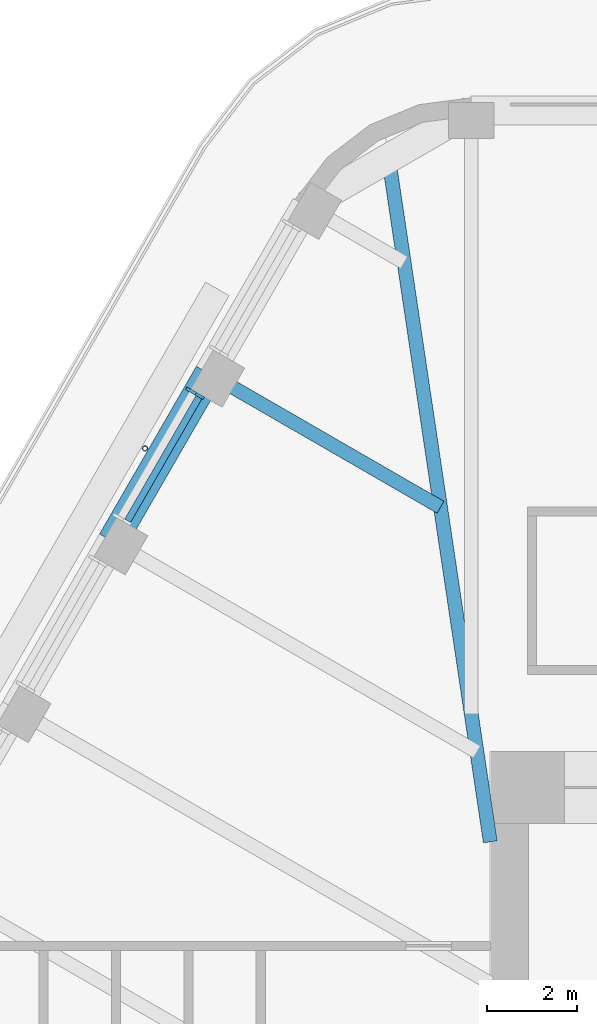
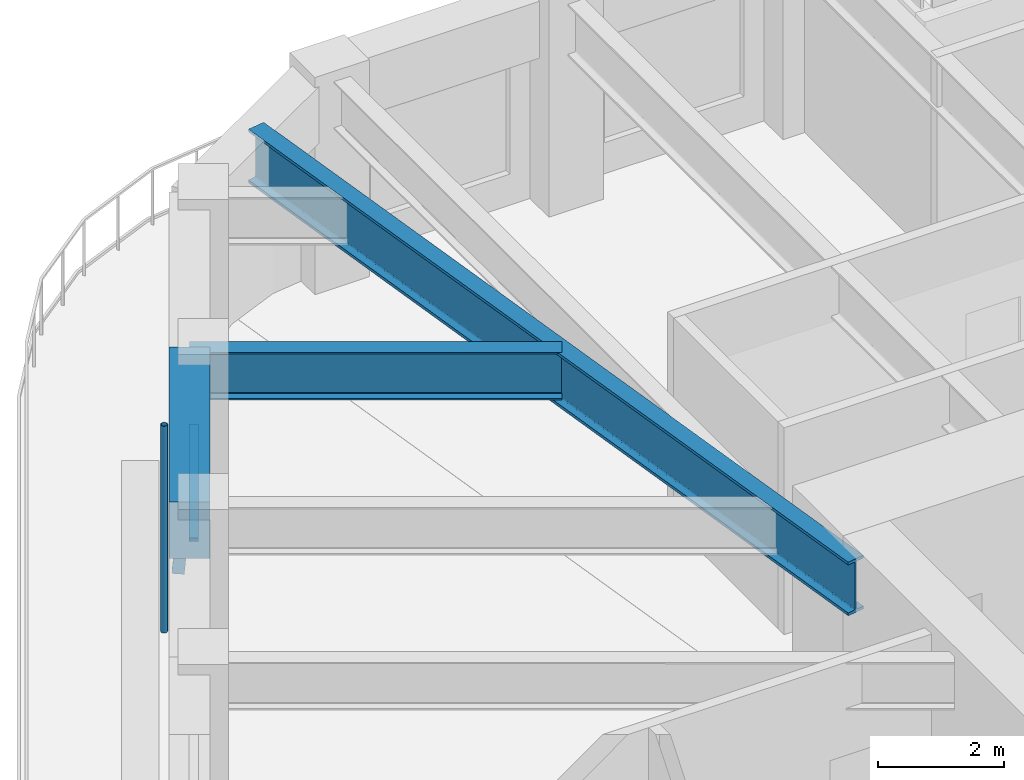
# One storey, part 8 of 19: 3 beams, 3 members, 1 element without a shape of its own.
"""IFC4 building model written with IfcOpenShell, lengths in metres."""

import ifcopenshell
import ifcopenshell.guid

model = None  # the IFC model being written
_history = None  # IfcOwnerHistory: only IFC2X3 demands one
_inside = {}  # id of a spatial element -> (the spatial element, [elements in it])
_under = {}  # id of a project, library or spatial element -> (it, [spatial elements below it])
_declared = {}  # id of a project -> (the project, [libraries it declares])
_typed = {}  # id of a type object -> (the type object, [elements of that type])
_made_of = {}  # id of a material, layer set ... -> (it, [elements and type objects made of it])


def new_model(schema):
    """Start an empty IFC model of exactly this schema.

    Asked for "IFC4X3", IfcOpenShell would pick the latest addendum, in which some entities
    have other attributes; the version numbers below select the first issue.
    IFC2X3 requires an IfcOwnerHistory on every rooted entity: one is made here for all.
    """
    global model, _history
    if schema == "IFC4X3":
        model = ifcopenshell.file(schema_version=(4, 3, 0, 0))
    else:
        model = ifcopenshell.file(schema=schema)
    _inside.clear()
    _under.clear()
    _declared.clear()
    _typed.clear()
    _made_of.clear()
    _history = None
    if model.schema == "IFC2X3":
        org = make("IfcOrganization", Name="unknown")
        user = make(
            "IfcPersonAndOrganization",
            ThePerson=make("IfcPerson", FamilyName="unknown"),
            TheOrganization=org,
        )
        app = make(
            "IfcApplication",
            ApplicationDeveloper=org,
            Version="unknown",
            ApplicationFullName="unknown",
            ApplicationIdentifier="unknown",
        )
        _history = make(
            "IfcOwnerHistory",
            OwningUser=user,
            OwningApplication=app,
            ChangeAction="ADDED",
            CreationDate=0,
        )
    return model


def make(cls, **values):
    """One entity of the class cls with the attributes given. An attribute that is None is left unset."""
    return model.create_entity(
        cls, **{name: value for name, value in values.items() if value is not None}
    )


def rooted(cls, **values):
    """An entity with a GlobalId (a new one), such as an element, a storey or a relation."""
    return make(cls, GlobalId=ifcopenshell.guid.new(), OwnerHistory=_history, **values)


def si_unit(unit_type, name, prefix=None):
    """IfcSIUnit, for example si_unit("LENGTHUNIT", "METRE", prefix="MILLI")."""
    return make("IfcSIUnit", UnitType=unit_type, Prefix=prefix, Name=name)


def assignment(units):
    """IfcUnitAssignment: the units of a project."""
    return None if units is None else make("IfcUnitAssignment", Units=units)


def point(xyz):
    """IfcCartesianPoint."""
    return None if xyz is None else make("IfcCartesianPoint", Coordinates=xyz)


def direction(xyz):
    """IfcDirection."""
    return None if xyz is None else make("IfcDirection", DirectionRatios=xyz)


def frame(location, z_axis=None, x_axis=None):
    """IfcAxis2Placement3D, a coordinate frame: its origin and axes. An axis left out is left unset."""
    return make(
        "IfcAxis2Placement3D",
        Location=point(location),
        Axis=direction(z_axis),
        RefDirection=direction(x_axis),
    )


def frame_2d(location, x_axis=None):
    """IfcAxis2Placement2D, a coordinate frame in the plane: its origin and x axis."""
    return make(
        "IfcAxis2Placement2D", Location=point(location), RefDirection=direction(x_axis)
    )


def origin():
    """The frame at (0, 0, 0) with its axes left unset."""
    return frame((0.0, 0.0, 0.0))


def origin_2d():
    """The frame at (0, 0) in the plane with its x axis left unset."""
    return frame_2d((0.0, 0.0))


def place(relative_to, where):
    """IfcLocalPlacement: puts the frame where relative to a parent placement (None: the world)."""
    return make(
        "IfcLocalPlacement", PlacementRelTo=relative_to, RelativePlacement=where
    )


def context(
    kind, dimensions, precision=None, world=None, true_north=None, identifier=None
):
    """IfcGeometricRepresentationContext, for example the 3D "Model" context."""
    return make(
        "IfcGeometricRepresentationContext",
        ContextIdentifier=identifier,
        ContextType=kind,
        CoordinateSpaceDimension=dimensions,
        Precision=precision,
        WorldCoordinateSystem=world,
        TrueNorth=true_north,
    )


def subcontext(parent, identifier, kind, view, scale=None):
    """IfcGeometricRepresentationSubContext, for example "Body" below "Model"."""
    return make(
        "IfcGeometricRepresentationSubContext",
        ContextIdentifier=identifier,
        ContextType=kind,
        ParentContext=parent,
        TargetScale=scale,
        TargetView=view,
    )


def project(units=None, contexts=None):
    """IfcProject with its units and contexts."""
    return rooted(
        "IfcProject",
        Name="project",
        RepresentationContexts=contexts,
        UnitsInContext=assignment(units),
    )


def spatial(cls, under=None, at=None, **own):
    """A site, building, storey or space (cls), placed at a placement, below another one or the project."""
    s = rooted(cls, ObjectPlacement=at, **own)
    if under is not None:
        _under.setdefault(under.id(), (under, []))[1].append(s)
    return s


def profile(cls, at=None, kind="AREA", **sizes):
    """A parametric profile (cls). Its sizes go by their IFC names, for example OverallWidth=200.0."""
    return make(cls, ProfileType=kind, Position=at, **sizes)


def rectangle(**sizes):
    """IfcRectangleProfileDef."""
    return profile("IfcRectangleProfileDef", **sizes)


def hollow_circle(**sizes):
    """IfcCircleHollowProfileDef."""
    return profile("IfcCircleHollowProfileDef", **sizes)


def i_section(**sizes):
    """IfcIShapeProfileDef."""
    return profile("IfcIShapeProfileDef", **sizes)


def extrude(swept, where, along, depth):
    """IfcExtrudedAreaSolid: the profile swept, set in the frame where, extruded along a direction by depth."""
    return make(
        "IfcExtrudedAreaSolid",
        SweptArea=swept,
        Position=where,
        ExtrudedDirection=direction(along),
        Depth=depth,
    )


def shape(context_of_items, identifier, shape_type, items):
    """IfcShapeRepresentation: the items that make up one representation, for example the "Body"."""
    return make(
        "IfcShapeRepresentation",
        ContextOfItems=context_of_items,
        RepresentationIdentifier=identifier,
        RepresentationType=shape_type,
        Items=items,
    )


def material(Name=None, Category=None):
    """IfcMaterial."""
    return make("IfcMaterial", Name=Name, Category=Category)


def material_profile(
    of_material, cross_section, Name=None, Category=None, Priority=None
):
    """IfcMaterialProfile: a cross section and its material."""
    return make(
        "IfcMaterialProfile",
        Name=Name,
        Material=of_material,
        Profile=cross_section,
        Priority=Priority,
        Category=Category,
    )


def profile_set(profiles, Name=None, composite=None):
    """IfcMaterialProfileSet."""
    return make(
        "IfcMaterialProfileSet",
        Name=Name,
        MaterialProfiles=profiles,
        CompositeProfile=composite,
    )


def made_of(thing, what):
    """Note that an element or type object is made of a material, layer set ...; save() writes the relation."""
    if what is not None:
        _made_of.setdefault(what.id(), (what, []))[1].append(thing)
    return thing


def type_object(cls, material=None, **own):
    """A type object (cls), such as IfcWallType, which elements share."""
    return made_of(rooted(cls, **own), material)


def element(
    cls,
    number,
    at=None,
    inside=None,
    cuts=None,
    type_object=None,
    material=None,
    context=None,
    identifier="Body",
    shape_type=None,
    held_by="IfcProductDefinitionShape",
    body=None,
    shapes=None,
    **own,
):
    """One element of the class cls, such as IfcWall. Its Tag is "e" and its number.

    at: its placement. inside: the storey or other place that contains it. cuts: it is an
    opening in that element (IfcRelVoidsElement). A single representation is given by context,
    identifier, shape_type and body (its items); several are given by shapes. held_by: the class
    of the entity that holds the representations. save() writes the other relations.
    """
    e = rooted(cls, Tag="e%d" % number, ObjectPlacement=at, **own)
    if body is not None:
        shapes = [shape(context, identifier, shape_type, body)]
    if shapes is not None:
        e.Representation = make(held_by, Representations=shapes)
    if inside is not None:
        _inside.setdefault(inside.id(), (inside, []))[1].append(e)
    if cuts is not None:
        rooted(
            "IfcRelVoidsElement", RelatingBuildingElement=cuts, RelatedOpeningElement=e
        )
    if type_object is not None:
        _typed.setdefault(type_object.id(), (type_object, []))[1].append(e)
    return made_of(e, material)


def aggregate(whole, parts):
    """IfcRelAggregates: a whole, such as a stair, and the parts it consists of."""
    return rooted("IfcRelAggregates", RelatingObject=whole, RelatedObjects=parts)


def save(model, path):
    """Write the relations noted so far, then the file.

    IfcRelAggregates (storeys below a building ...), IfcRelContainedInSpatialStructure (elements
    in a storey), IfcRelDefinesByType, IfcRelAssociatesMaterial and IfcRelDeclares: one each for
    every whole, place, type object, material and project.
    """
    for whole, parts in _under.values():
        aggregate(whole, parts)
    for where, things in _inside.values():
        rooted(
            "IfcRelContainedInSpatialStructure",
            RelatedElements=things,
            RelatingStructure=where,
        )
    for kind, things in _typed.values():
        rooted("IfcRelDefinesByType", RelatedObjects=things, RelatingType=kind)
    for what, things in _made_of.values():
        rooted("IfcRelAssociatesMaterial", RelatedObjects=things, RelatingMaterial=what)
    for by, libraries in _declared.values():
        rooted("IfcRelDeclares", RelatingContext=by, RelatedDefinitions=libraries)
    model.write(path)


model = new_model("IFC4")

# Units and contexts
model_context = context("Model", 3, precision=1e-05, world=origin(), true_north=direction((0.0, 1.0)))
body_context = subcontext(model_context, "Body", "Model", "MODEL_VIEW")
ifc_project = project(units=[si_unit("LENGTHUNIT", "METRE"), si_unit("AREAUNIT", "SQUARE_METRE"), si_unit("VOLUMEUNIT", "CUBIC_METRE"), si_unit("PLANEANGLEUNIT", "RADIAN"), si_unit("MASSUNIT", "GRAM", prefix="KILO")], contexts=[model_context])

# Site, building, storey
site_placement = place(None, origin())
site = spatial("IfcSite", under=ifc_project, at=site_placement, CompositionType="ELEMENT")
building_placement = place(site_placement, origin())
building = spatial("IfcBuilding", under=site, at=building_placement, Name="Tarfa Lantern Tower", CompositionType="ELEMENT")
storey_placement = place(building_placement, frame((0.0, 0.0, 345.10009765625)))
storey = spatial("IfcBuildingStorey", under=building, at=storey_placement, Name="L78", CompositionType="ELEMENT", Elevation=345.10009765625)

# Curtain wall, members
ifc_material_1 = material(Name="Aluminium framed curtain wall", Category="aluminium")
curtain_wall_type = type_object("IfcCurtainWallType", Name="CW4 CANTED GLAZING EXECUTIVE ZONE 2900", PredefinedType="USERDEFINED", material=ifc_material_1)
curtain_wall_placement = place(storey_placement, origin())
curtain_wall = element("IfcCurtainWall", 1, at=curtain_wall_placement, inside=storey, type_object=curtain_wall_type, Name="CW4 NW L78", ObjectType="CURTAIN WALL", PredefinedType="USERDEFINED")
ifc_material_2 = material(Name="Aluminium mullion", Category="aluminium")
ifc_material_profile_1 = material_profile(ifc_material_2, rectangle(XDim=0.06494140625, YDim=0.199951171875, at=origin_2d()), Name="AL MULLION 65x200")
ifc_profile_set_1 = profile_set([ifc_material_profile_1], Name="Aluminium mullion")
member_type_1 = type_object("IfcMemberType", Name="CWM1 MULLION 65x200", PredefinedType="MULLION", material=ifc_profile_set_1)
member_1_placement = place(storey_placement, frame((-19.063720703125, 20.280517578125, 0.0), z_axis=(0.074316405553, -0.042945823525, 0.996309554359), x_axis=(0.500342721131, 0.865827443207, 0.0)))
member_1 = element("IfcMember", 2, at=member_1_placement, type_object=member_type_1, Name="CW4 mullion 1", PredefinedType="MULLION", context=body_context, shape_type="SweptSolid", body=[
    extrude(rectangle(XDim=0.06494140625, YDim=0.199951171875, at=origin_2d()), origin(), (0.0, 0.0, 1.0), 2.91064453125),
])
ifc_material_3 = material(Name="Aluminium transom", Category="aluminium")
ifc_material_profile_2 = material_profile(ifc_material_3, rectangle(XDim=0.14990234375, YDim=0.06494140625, at=origin_2d()), Name="AL TRANSOM 150x65")
ifc_profile_set_2 = profile_set([ifc_material_profile_2], Name="Aluminium transom")
member_type_2 = type_object("IfcMemberType", Name="CWT1 TRANSOM 150x65", PredefinedType="USERDEFINED", material=ifc_profile_set_2)
member_2_placement = place(storey_placement, frame((-18.865966796875, 20.128662109375, 2.867431640625), z_axis=(-0.499979472441, -0.866037255052, 0.0), x_axis=(0.866037255052, -0.499979472441, 0.0)))
member_2 = element("IfcMember", 3, at=member_2_placement, type_object=member_type_2, Name="CW4 transom 1.2", ObjectType="TRANSOM", PredefinedType="USERDEFINED", context=body_context, shape_type="SweptSolid", body=[
    extrude(rectangle(XDim=0.14990234375, YDim=0.06494140625, at=origin_2d()), origin(), (0.0, 0.0, 1.0), 3.152099609375),
])
aggregate(curtain_wall, [member_1, member_2])

# Beam
ifc_material_4 = material(Name="Concrete C80/95", Category="concrete")
ifc_material_profile_3 = material_profile(ifc_material_4, rectangle(XDim=0.64990234375, YDim=1.10009765625, at=origin_2d()), Name="RC 650x1100")
ifc_profile_set_3 = profile_set([ifc_material_profile_3], Name="Concrete C80/95")
beam_type_1 = type_object("IfcBeamType", Name="EB4 RC 650x1100", PredefinedType="SPANDREL", material=ifc_profile_set_3)
beam_1_placement = place(storey_placement, frame((-18.6416015625, 20.651611328125, 3.449951171875), z_axis=(-0.500026801138, -0.866009929587, 0.0), x_axis=(0.866009929587, -0.500026801138, 0.0)))
element("IfcBeam", 4, at=beam_1_placement, inside=storey, type_object=beam_type_1, Name="Edge beam NW1", PredefinedType="SPANDREL", context=body_context, shape_type="SweptSolid", body=[
    extrude(rectangle(XDim=0.64990234375, YDim=1.10009765625, at=origin_2d()), origin(), (0.0, 0.0, 1.0), 4.281982421875),
])

# Member
ifc_material_5 = material(Name="Steel S355", Category="steel")
ifc_material_profile_4 = material_profile(ifc_material_5, hollow_circle(Radius=0.05712890625, WallThickness=0.00634765625, at=origin_2d()), Name="CHS114.3x6.3")
ifc_profile_set_4 = profile_set([ifc_material_profile_4], Name="Steel S355")
member_type_3 = type_object("IfcMemberType", Name="TR1 GREEN WALL TRELLIS CHS114.3x6.3", PredefinedType="USERDEFINED", material=ifc_profile_set_4)
member_3_placement = place(storey_placement, frame((-20.05859375, 18.99755859375, 0.0), z_axis=(0.0, 0.0, 1.0), x_axis=(1.0, 0.0, 0.0)))
element("IfcMember", 5, at=member_3_placement, inside=storey, type_object=member_type_3, Name="Trellis post NW 1", ObjectType="TRELLIS", PredefinedType="USERDEFINED", context=body_context, shape_type="SweptSolid", body=[
    extrude(hollow_circle(Radius=0.05712890625, WallThickness=0.00634765625, at=origin_2d()), origin(), (0.0, 0.0, 1.0), 4.0),
])

# Beams
ifc_material_6 = material(Name="Steel S460M", Category="steel")
ifc_material_profile_5 = material_profile(ifc_material_6, i_section(OverallWidth=0.30859375, OverallDepth=1.036376953125, WebThickness=0.030029296875, FlangeThickness=0.05419921875, FilletRadius=0.030029296875, at=origin_2d()), Name="UB1016x305x487")
ifc_profile_set_5 = profile_set([ifc_material_profile_5], Name="Steel S460M")
beam_type_2 = type_object("IfcBeamType", Name="UB1016x305x487", PredefinedType="BEAM", material=ifc_profile_set_5)
beam_2_placement = place(storey_placement, frame((-12.425048828125, 10.300048828125, 3.481689453125), z_axis=(-0.147127069073, 0.989117599452, 0.0), x_axis=(-0.989117599452, -0.147127069073, 0.0)))
element("IfcBeam", 6, at=beam_2_placement, inside=storey, type_object=beam_type_2, Name="Hip girder NW", PredefinedType="BEAM", context=body_context, shape_type="SweptSolid", body=[
    extrude(i_section(OverallWidth=0.30859375, OverallDepth=1.036376953125, WebThickness=0.030029296875, FlangeThickness=0.05419921875, FilletRadius=0.030029296875, at=origin_2d()), origin(), (0.0, 0.0, 1.0), 15.28125),
])
ifc_material_profile_6 = material_profile(ifc_material_6, i_section(OverallWidth=0.305419921875, OverallDepth=0.91845703125, WebThickness=0.017333984375, FlangeThickness=0.02783203125, FilletRadius=0.01904296875, at=origin_2d()), Name="UB914x305x253")
ifc_profile_set_6 = profile_set([ifc_material_profile_6], Name="Steel S460M")
beam_type_3 = type_object("IfcBeamType", Name="UB914x305x253", PredefinedType="BEAM", material=ifc_profile_set_6)
beam_3_placement = place(storey_placement, frame((-18.6416015625, 20.651611328125, 3.540771484375), z_axis=(0.866024549157, -0.500001480256, 0.0), x_axis=(0.500001480256, 0.866024549157, 0.0)))
element("IfcBeam", 7, at=beam_3_placement, inside=storey, type_object=beam_type_3, Name="Floor beam NW1", PredefinedType="BEAM", context=body_context, shape_type="SweptSolid", body=[
    extrude(i_section(OverallWidth=0.305419921875, OverallDepth=0.91845703125, WebThickness=0.017333984375, FlangeThickness=0.02783203125, FilletRadius=0.01904296875, at=origin_2d()), origin(), (0.0, 0.0, 1.0), 5.90771484375),
])

save(model, "model.ifc")
